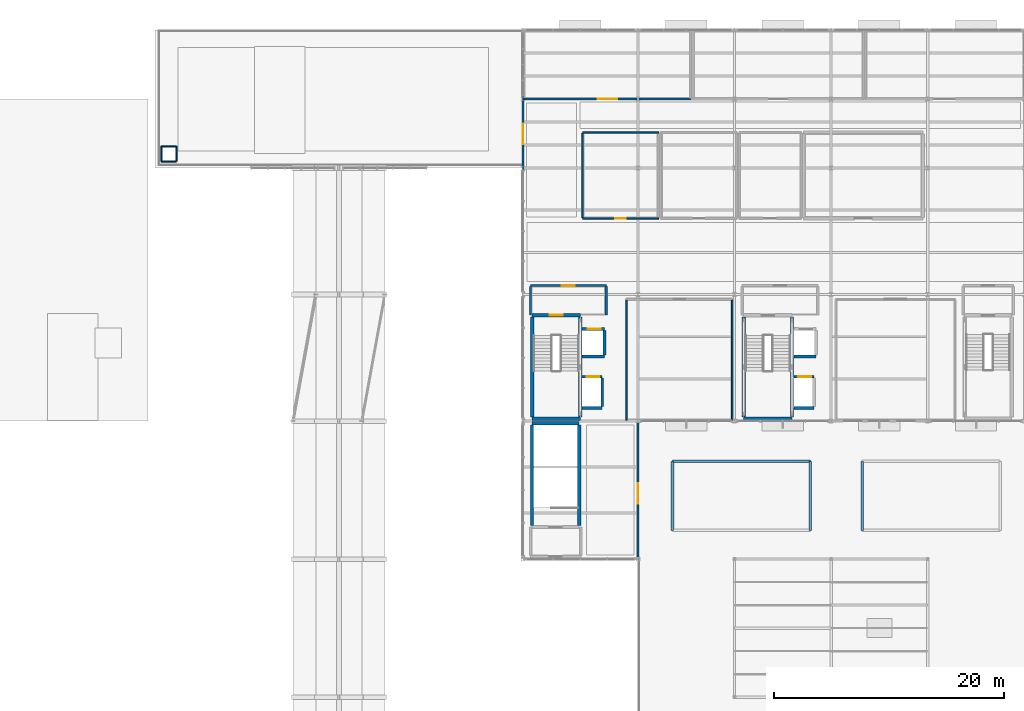
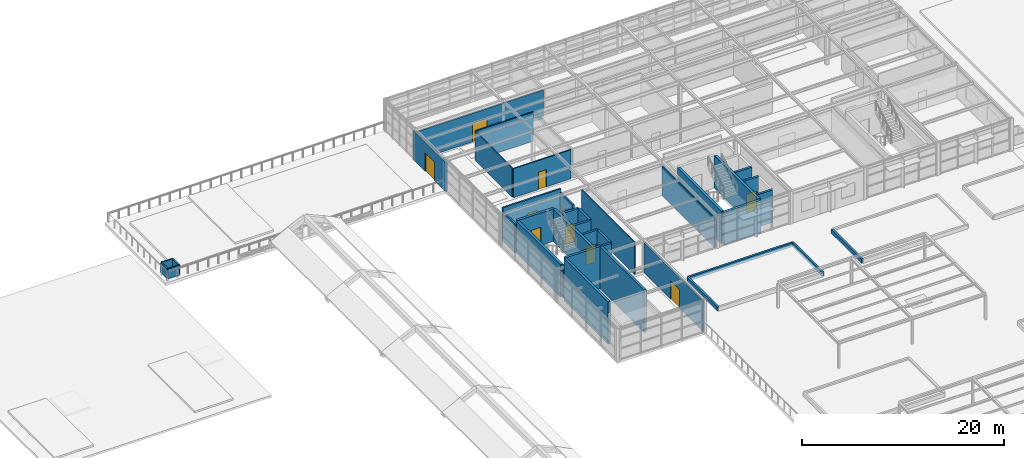
# One storey, part 41 of 49: 38 walls, 9 doors, 9 openings.
"""IFC4 building model written with IfcOpenShell, lengths in metres."""

from ifc_helpers import new_model, si_unit, direction, frame, frame_2d, origin, place, context, subcontext, project, spatial, rectangle, extrude, material, layer, layer_set, type_object, element, fill, save


model = new_model("IFC4")

# Units and contexts
model_context = context("Model", 3, precision=1e-05, world=origin(), true_north=direction((0.0, 1.0)))
body_context = subcontext(model_context, "Body", "Model", "MODEL_VIEW")
ifc_project = project(units=[si_unit("LENGTHUNIT", "METRE"), si_unit("AREAUNIT", "SQUARE_METRE"), si_unit("VOLUMEUNIT", "CUBIC_METRE"), si_unit("PLANEANGLEUNIT", "RADIAN"), si_unit("MASSUNIT", "GRAM", prefix="KILO")], contexts=[model_context])

# Site, building, storey
site_placement = place(None, origin())
site = spatial("IfcSite", under=ifc_project, at=site_placement, CompositionType="ELEMENT")
building_placement = place(site_placement, origin())
building = spatial("IfcBuilding", under=site, at=building_placement, Name="Sitalva Quay Ferry Terminal", CompositionType="ELEMENT")
storey_placement = place(building_placement, frame((0.0, 0.0, 10.199951171875)))
storey = spatial("IfcBuildingStorey", under=building, at=storey_placement, Name="L03", CompositionType="ELEMENT", Elevation=10.199951171875)

# Walls
ifc_material_1 = material(Name="Concrete C40/50", Category="concrete")
ifc_layer_1 = layer(ifc_material_1, 0.280029296875)
ifc_layer_set_1 = layer_set([ifc_layer_1], Name="Concrete C40/50")
wall_type_1 = type_object("IfcWallType", Name="Wall_CoreShear_280", PredefinedType="SHEAR", material=ifc_layer_set_1)
wall_1_placement = place(storey_placement, frame((74.800048828125, 77.800048828125, 0.0), z_axis=(0.0, 0.0, 1.0), x_axis=(1.0, 0.0, 0.0)))
element("IfcWall", 1, at=wall_1_placement, inside=storey, type_object=wall_type_1, Name="Core C11 L03 north shear wall", PredefinedType="SHEAR", context=body_context, shape_type="SweptSolid", body=[
    extrude(rectangle(XDim=4.099853515625, YDim=0.280029296875, at=frame_2d((2.0498046875, 0.0))), origin(), (0.0, 0.0, 1.0), 5.10009765625),
])
for number, where, z_axis, x_axis, name in (
    (2, (74.800048828125, 68.93994140625, 0.0), (0.0, 0.0, 1.0), (0.0, 1.0, 0.0), "Core C11 L03 west shear wall"),
    (3, (78.89990234375, 68.93994140625, 0.0), (0.0, 0.0, 1.0), (0.0, 1.0, 0.0), "Core C11 L03 east shear wall"),
):
    element("IfcWall", number, at=place(storey_placement, frame(where, z_axis=z_axis, x_axis=x_axis)), inside=storey, type_object=wall_type_1, Name=name, PredefinedType="SHEAR", context=body_context, shape_type="SweptSolid", body=[
        extrude(rectangle(XDim=8.719970703125, YDim=0.280029296875, at=frame_2d((4.35986328125, 0.0))), origin(), (0.0, 0.0, 1.0), 5.10009765625),
    ])
ifc_material_2 = material(Name="Concrete C40/50", Category="concrete")
ifc_layer_2 = layer(ifc_material_2, 0.300048828125)
ifc_layer_set_2 = layer_set([ifc_layer_2], Name="Concrete C40/50")
wall_type_2 = type_object("IfcWallType", Name="Wall_CoreShear_300", PredefinedType="SHEAR", material=ifc_layer_set_2)
wall_2_placement = place(storey_placement, frame((74.800048828125, 78.199951171875, 0.0), z_axis=(0.0, 0.0, 1.0), x_axis=(1.0, 0.0, 0.0)))
element("IfcWall", 4, at=wall_2_placement, inside=storey, type_object=wall_type_2, Name="Core C1 L03 south shear wall", PredefinedType="SHEAR", context=body_context, shape_type="SweptSolid", body=[
    extrude(rectangle(XDim=4.199951171875, YDim=0.300048828125, at=frame_2d((2.10009765625, 0.0))), origin(), (0.0, 0.0, 1.0), 3.920166015625),
])

# Wall, opening, door
wall_3_placement = place(storey_placement, frame((74.800048828125, 87.199951171875, 0.0), z_axis=(0.0, 0.0, 1.0), x_axis=(1.0, 0.0, 0.0)))
wall_3 = element("IfcWall", 5, at=wall_3_placement, inside=storey, type_object=wall_type_2, Name="Core C1 L03 north shear wall", PredefinedType="SHEAR", context=body_context, shape_type="SweptSolid", body=[
    extrude(rectangle(XDim=4.199951171875, YDim=0.300048828125, at=frame_2d((2.10009765625, 0.0))), origin(), (0.0, 0.0, 1.0), 3.920166015625),
])
opening_1_placement = place(wall_3_placement, frame((1.550048828125, 0.0, 0.0)))
opening_1 = element("IfcOpeningElement", 6, at=opening_1_placement, cuts=wall_3, Name="Opening D-L03-003", PredefinedType="OPENING", context=body_context, shape_type="SweptSolid", body=[
    extrude(rectangle(XDim=1.10009765625, YDim=2.199951171875, at=frame_2d((0.550048828125, 1.10009765625))), frame((0.0, 0.159912109375, 0.0), z_axis=(0.0, -1.0, 0.0), x_axis=(1.0, 0.0, 0.0)), (0.0, 0.0, 1.0), 0.320068359375),
])
ifc_material_3 = material(Name="Galvanised Steel Fire Door", Category="steel")
door_type_1 = type_object("IfcDoorType", Name="Door_CoreExit_1100x2200", OperationType="SINGLE_SWING_LEFT", PredefinedType="DOOR", material=ifc_material_3)
door_1_placement = place(opening_1_placement, origin())
door_1 = element("IfcDoor", 7, at=door_1_placement, inside=storey, type_object=door_type_1, Name="DOOR-D-L03-003 Protected stair ST-01 door D-L03-003", OperationType="SINGLE_SWING_LEFT", OverallHeight=2.199951171875, OverallWidth=1.10009765625, PredefinedType="DOOR", context=body_context, shape_type="SweptSolid", body=[
    extrude(rectangle(XDim=1.10009765625, YDim=2.199951171875, at=frame_2d((0.550048828125, 1.10009765625))), frame((0.0, 0.02490234375, 0.0), z_axis=(0.0, -1.0, 0.0), x_axis=(1.0, 0.0, 0.0)), (0.0, 0.0, 1.0), 0.050048828125),
])
fill(opening_1, door_1)

# Walls
for number, where, z_axis, x_axis, name in (
    (8, (74.800048828125, 78.35009765625, 0.0), (0.0, 0.0, 1.0), (0.0, 1.0, 0.0), "Core C1 L03 west shear wall"),
    (9, (79.0, 78.35009765625, 0.0), (0.0, 0.0, 1.0), (0.0, 1.0, 0.0), "Core C1 L03 east shear wall"),
):
    element("IfcWall", number, at=place(storey_placement, frame(where, z_axis=z_axis, x_axis=x_axis)), inside=storey, type_object=wall_type_2, Name=name, PredefinedType="SHEAR", context=body_context, shape_type="SweptSolid", body=[
        extrude(rectangle(XDim=8.699951171875, YDim=0.300048828125, at=frame_2d((4.35009765625, 0.0))), origin(), (0.0, 0.0, 1.0), 3.920166015625),
    ])
wall_4_placement = place(storey_placement, frame((93.199951171875, 78.199951171875, 0.0), z_axis=(0.0, 0.0, 1.0), x_axis=(1.0, 0.0, 0.0)))
element("IfcWall", 10, at=wall_4_placement, inside=storey, type_object=wall_type_2, Name="Core C2 L03 south shear wall", PredefinedType="SHEAR", context=body_context, shape_type="SweptSolid", body=[
    extrude(rectangle(XDim=4.199951171875, YDim=0.300048828125, at=frame_2d((2.10009765625, 0.0))), origin(), (0.0, 0.0, 1.0), 3.920166015625),
])
for number, where, z_axis, x_axis, name in (
    (11, (93.199951171875, 78.35009765625, 0.0), (0.0, 0.0, 1.0), (0.0, 1.0, 0.0), "Core C2 L03 west shear wall"),
    (12, (97.39990234375, 78.35009765625, 0.0), (0.0, 0.0, 1.0), (0.0, 1.0, 0.0), "Core C2 L03 east shear wall"),
):
    element("IfcWall", number, at=place(storey_placement, frame(where, z_axis=z_axis, x_axis=x_axis)), inside=storey, type_object=wall_type_2, Name=name, PredefinedType="SHEAR", context=body_context, shape_type="SweptSolid", body=[
        extrude(rectangle(XDim=8.699951171875, YDim=0.300048828125, at=frame_2d((4.35009765625, 0.0))), origin(), (0.0, 0.0, 1.0), 3.920166015625),
    ])

# Wall, opening, door
ifc_material_4 = material(Name="Architectural Concrete C40/50", Category="concrete")
ifc_layer_3 = layer(ifc_material_4, 0.18994140625)
ifc_layer_set_3 = layer_set([ifc_layer_3], Name="Architectural Concrete C40/50")
wall_type_3 = type_object("IfcWallType", Name="Wall_ExtSpandrel_190", PredefinedType="SOLIDWALL", material=ifc_layer_set_3)
wall_5_placement = place(storey_placement, frame((84.0, 66.135009765625, 0.0), z_axis=(0.0, 0.0, 1.0), x_axis=(0.0, 1.0, 0.0)))
wall_5 = element("IfcWall", 13, at=wall_5_placement, inside=storey, type_object=wall_type_3, Name="L03 north spine east roof-park wall EW-L03-124", PredefinedType="SOLIDWALL", context=body_context, shape_type="SweptSolid", body=[
    extrude(rectangle(XDim=11.724609375, YDim=0.18994140625, at=frame_2d((5.8623046875, 0.0))), origin(), (0.0, 0.0, 1.0), 3.655029296875),
])
opening_2_placement = place(wall_5_placement, frame((4.6650390625, 0.0, 0.0)))
opening_2 = element("IfcOpeningElement", 14, at=opening_2_placement, cuts=wall_5, Name="Opening ED-L03-019", PredefinedType="OPENING", context=body_context, shape_type="SweptSolid", body=[
    extrude(rectangle(XDim=1.800048828125, YDim=2.25, at=frame_2d((0.89990234375, 1.125))), frame((0.0, 0.10498046875, 0.0), z_axis=(0.0, -1.0, 0.0), x_axis=(1.0, 0.0, 0.0)), (0.0, 0.0, 1.0), 0.2099609375),
])
ifc_material_5 = material(Name="Anodised Aluminium & Low-E Glass", Category="aluminium")
door_type_2 = type_object("IfcDoorType", Name="Door_Terrace_1800x2250", OperationType="DOUBLE_DOOR_SINGLE_SWING", PredefinedType="DOOR", material=ifc_material_5)
door_2_placement = place(opening_2_placement, origin())
door_2 = element("IfcDoor", 15, at=door_2_placement, inside=storey, type_object=door_type_2, Name="EDOOR-ED-L03-019 L03 north spine to roof park door ED-L03-019", OperationType="DOUBLE_DOOR_SINGLE_SWING", OverallHeight=2.25, OverallWidth=1.800048828125, PredefinedType="DOOR", context=body_context, shape_type="SweptSolid", body=[
    extrude(rectangle(XDim=1.800048828125, YDim=2.25, at=frame_2d((0.89990234375, 1.125))), frame((0.0, 0.02490234375, 0.0), z_axis=(0.0, -1.0, 0.0), x_axis=(1.0, 0.0, 0.0)), (0.0, 0.0, 1.0), 0.050048828125),
])
fill(opening_2, door_2)

wall_6_placement = place(storey_placement, frame((74.0, 99.739990234375, 0.0), z_axis=(0.0, 0.0, 1.0), x_axis=(0.0, 1.0, 0.0)))
wall_6 = element("IfcWall", 16, at=wall_6_placement, inside=storey, type_object=wall_type_3, Name="L03 west roof-terrace access wall EW-L03-177", PredefinedType="SOLIDWALL", context=body_context, shape_type="SweptSolid", body=[
    extrude(rectangle(XDim=6.52001953125, YDim=0.18994140625, at=frame_2d((3.260009765625, 0.0))), origin(), (0.0, 0.0, 1.0), 3.508056640625),
])
opening_3_placement = place(wall_6_placement, frame((2.320068359375, 0.0, 0.0)))
opening_3 = element("IfcOpeningElement", 17, at=opening_3_placement, cuts=wall_6, Name="Opening ED-L03-039", PredefinedType="OPENING", context=body_context, shape_type="SweptSolid", body=[
    extrude(rectangle(XDim=1.800048828125, YDim=2.25, at=frame_2d((0.89990234375, 1.125))), frame((0.0, 0.10498046875, 0.0), z_axis=(0.0, -1.0, 0.0), x_axis=(1.0, 0.0, 0.0)), (0.0, 0.0, 1.0), 0.2099609375),
])
door_3_placement = place(opening_3_placement, origin())
door_3 = element("IfcDoor", 18, at=door_3_placement, inside=storey, type_object=door_type_2, Name="EDOOR-ED-L03-039 L03 west planted roof terrace door ED-L03-039", OperationType="DOUBLE_DOOR_SINGLE_SWING", OverallHeight=2.25, OverallWidth=1.800048828125, PredefinedType="DOOR", context=body_context, shape_type="SweptSolid", body=[
    extrude(rectangle(XDim=1.800048828125, YDim=2.25, at=frame_2d((0.89990234375, 1.125))), frame((0.0, 0.02490234375, 0.0), z_axis=(0.0, -1.0, 0.0), x_axis=(1.0, 0.0, 0.0)), (0.0, 0.0, 1.0), 0.050048828125),
])
fill(opening_3, door_3)

ifc_material_6 = material(Name="Fire-Rated Blockwork C25/30", Category="masonry")
ifc_layer_4 = layer(ifc_material_6, 0.179931640625)
ifc_layer_set_4 = layer_set([ifc_layer_4], Name="Fire-Rated Blockwork C25/30")
wall_type_4 = type_object("IfcWallType", Name="Wall_FireLobby_180", PredefinedType="SOLIDWALL", material=ifc_layer_set_4)
wall_7_placement = place(storey_placement, frame((74.64990234375, 89.800048828125, 0.0), z_axis=(0.0, 0.0, 1.0), x_axis=(1.0, 0.0, 0.0)))
wall_7 = element("IfcWall", 19, at=wall_7_placement, inside=storey, type_object=wall_type_4, Name="Firefighting & Lift Lobby C1 N wall IW-L03-0007", PredefinedType="SOLIDWALL", context=body_context, shape_type="SweptSolid", body=[
    extrude(rectangle(XDim=6.60009765625, YDim=0.179931640625, at=frame_2d((3.300048828125, 0.0))), origin(), (0.0, 0.0, 1.0), 3.900146484375),
])
opening_4_placement = place(wall_7_placement, frame((2.75, 0.0, 0.0)))
opening_4 = element("IfcOpeningElement", 20, at=opening_4_placement, cuts=wall_7, Name="Opening ID-L03-003", PredefinedType="OPENING", context=body_context, shape_type="SweptSolid", body=[
    extrude(rectangle(XDim=1.10009765625, YDim=2.199951171875, at=frame_2d((0.550048828125, 1.10009765625))), frame((0.0, 0.099853515625, 0.0), z_axis=(0.0, -1.0, 0.0), x_axis=(1.0, 0.0, 0.0)), (0.0, 0.0, 1.0), 0.199951171875),
])
ifc_material_7 = material(Name="Steel Fire Door", Category="steel")
door_type_3 = type_object("IfcDoorType", Name="Door_FireLobby_1100x2200", OperationType="SINGLE_SWING_LEFT", PredefinedType="DOOR", material=ifc_material_7)
door_4_placement = place(opening_4_placement, origin())
door_4 = element("IfcDoor", 21, at=door_4_placement, inside=storey, type_object=door_type_3, Name="IDOOR-ID-L03-003 Firefighting & Lift Lobby C1 entrance ID-L03-003", OperationType="SINGLE_SWING_LEFT", OverallHeight=2.199951171875, OverallWidth=1.10009765625, PredefinedType="DOOR", context=body_context, shape_type="SweptSolid", body=[
    extrude(rectangle(XDim=1.10009765625, YDim=2.199951171875, at=frame_2d((0.550048828125, 1.10009765625))), frame((0.0, 0.02490234375, 0.0), z_axis=(0.0, -1.0, 0.0), x_axis=(1.0, 0.0, 0.0)), (0.0, 0.0, 1.0), 0.050048828125),
])
fill(opening_4, door_4)

# Walls
for number, where, z_axis, x_axis, name in (
    (22, (74.64990234375, 87.199951171875, 0.0), (0.0, 0.0, 1.0), (0.0, 1.0, 0.0), "Firefighting & Lift Lobby C1 W wall IW-L03-0008"),
    (23, (81.25, 87.199951171875, 0.0), (0.0, 0.0, 1.0), (0.0, 1.0, 0.0), "Firefighting & Lift Lobby C1 E wall IW-L03-0009"),
):
    element("IfcWall", number, at=place(storey_placement, frame(where, z_axis=z_axis, x_axis=x_axis)), inside=storey, type_object=wall_type_4, Name=name, PredefinedType="SOLIDWALL", context=body_context, shape_type="SweptSolid", body=[
        extrude(rectangle(XDim=2.510009765625, YDim=0.179931640625, at=frame_2d((1.2548828125, 0.0))), origin(), (0.0, 0.0, 1.0), 3.5029296875),
    ])
ifc_material_8 = material(Name="Concrete C35/45", Category="concrete")
ifc_layer_5 = layer(ifc_material_8, 0.25)
ifc_layer_set_5 = layer_set([ifc_layer_5], Name="Concrete C35/45")
wall_type_5 = type_object("IfcWallType", Name="Wall_LiftShaft_250", PredefinedType="SOLIDWALL", material=ifc_layer_set_5)
wall_8_placement = place(storey_placement, frame((79.155029296875, 79.14990234375, 0.0), z_axis=(0.0, 0.0, 1.0), x_axis=(1.0, 0.0, 0.0)))
element("IfcWall", 24, at=wall_8_placement, inside=storey, type_object=wall_type_5, Name="Lift LF-01 L03 south shaft wall", PredefinedType="SOLIDWALL", context=body_context, shape_type="SweptSolid", body=[
    extrude(rectangle(XDim=1.744873046875, YDim=0.25, at=frame_2d((0.87255859375, 0.0))), origin(), (0.0, 0.0, 1.0), 3.920166015625),
])

# Wall, opening, door
wall_9_placement = place(storey_placement, frame((79.155029296875, 81.85009765625, 0.0), z_axis=(0.0, 0.0, 1.0), x_axis=(1.0, 0.0, 0.0)))
wall_9 = element("IfcWall", 25, at=wall_9_placement, inside=storey, type_object=wall_type_5, Name="Lift LF-01 L03 north shaft wall", PredefinedType="SOLIDWALL", context=body_context, shape_type="SweptSolid", body=[
    extrude(rectangle(XDim=1.744873046875, YDim=0.25, at=frame_2d((0.87255859375, 0.0))), origin(), (0.0, 0.0, 1.0), 3.920166015625),
])
opening_5_placement = place(wall_9_placement, frame((0.39990234375, 0.0, 0.0)))
opening_5 = element("IfcOpeningElement", 26, at=opening_5_placement, cuts=wall_9, Name="Opening LD-LF-01-L03", PredefinedType="OPENING", context=body_context, shape_type="SweptSolid", body=[
    extrude(rectangle(XDim=1.10009765625, YDim=2.199951171875, at=frame_2d((0.550048828125, 1.10009765625))), frame((0.0, 0.135009765625, 0.0), z_axis=(0.0, -1.0, 0.0), x_axis=(1.0, 0.0, 0.0)), (0.0, 0.0, 1.0), 0.27001953125),
])
ifc_material_9 = material(Name="Stainless Steel 316L Fire Landing Door", Category="steel")
door_type_4 = type_object("IfcDoorType", Name="Door_LiftLanding_1100x2200", OperationType="SLIDING_TO_LEFT", PredefinedType="DOOR", material=ifc_material_9)
door_5_placement = place(opening_5_placement, origin())
door_5 = element("IfcDoor", 27, at=door_5_placement, inside=storey, type_object=door_type_4, Name="DOOR-LD-LF-01-L03 Lift LF-01 sliding landing door LD-LF-01-L03", OperationType="SLIDING_TO_LEFT", OverallHeight=2.199951171875, OverallWidth=1.10009765625, PredefinedType="DOOR", context=body_context, shape_type="SweptSolid", body=[
    extrude(rectangle(XDim=1.10009765625, YDim=2.199951171875, at=frame_2d((0.550048828125, 1.10009765625))), frame((0.0, 0.02490234375, 0.0), z_axis=(0.0, -1.0, 0.0), x_axis=(1.0, 0.0, 0.0)), (0.0, 0.0, 1.0), 0.050048828125),
])
fill(opening_5, door_5)

# Walls
wall_10_placement = place(storey_placement, frame((80.89990234375, 79.27490234375, 0.0), z_axis=(0.0, 0.0, 1.0), x_axis=(0.0, 1.0, 0.0)))
element("IfcWall", 28, at=wall_10_placement, inside=storey, type_object=wall_type_5, Name="Lift LF-01 L03 east shaft wall", PredefinedType="SOLIDWALL", context=body_context, shape_type="SweptSolid", body=[
    extrude(rectangle(XDim=2.4501953125, YDim=0.25, at=frame_2d((1.22509765625, 0.0))), origin(), (0.0, 0.0, 1.0), 3.920166015625),
])
wall_11_placement = place(storey_placement, frame((79.155029296875, 83.60009765625, 0.0), z_axis=(0.0, 0.0, 1.0), x_axis=(1.0, 0.0, 0.0)))
element("IfcWall", 29, at=wall_11_placement, inside=storey, type_object=wall_type_5, Name="Lift LF-03 L03 south shaft wall", PredefinedType="SOLIDWALL", context=body_context, shape_type="SweptSolid", body=[
    extrude(rectangle(XDim=1.945068359375, YDim=0.25, at=frame_2d((0.97265625, 0.0))), origin(), (0.0, 0.0, 1.0), 3.920166015625),
])

# Wall, opening, door
wall_12_placement = place(storey_placement, frame((79.155029296875, 86.0, 0.0), z_axis=(0.0, 0.0, 1.0), x_axis=(1.0, 0.0, 0.0)))
wall_12 = element("IfcWall", 30, at=wall_12_placement, inside=storey, type_object=wall_type_5, Name="Lift LF-03 L03 north shaft wall", PredefinedType="SOLIDWALL", context=body_context, shape_type="SweptSolid", body=[
    extrude(rectangle(XDim=1.945068359375, YDim=0.25, at=frame_2d((0.97265625, 0.0))), origin(), (0.0, 0.0, 1.0), 3.920166015625),
])
opening_6_placement = place(wall_12_placement, frame((0.5, 0.0, 0.0)))
opening_6 = element("IfcOpeningElement", 31, at=opening_6_placement, cuts=wall_12, Name="Opening LD-LF-03-L03", PredefinedType="OPENING", context=body_context, shape_type="SweptSolid", body=[
    extrude(rectangle(XDim=1.10009765625, YDim=2.199951171875, at=frame_2d((0.550048828125, 1.10009765625))), frame((0.0, 0.135009765625, 0.0), z_axis=(0.0, -1.0, 0.0), x_axis=(1.0, 0.0, 0.0)), (0.0, 0.0, 1.0), 0.27001953125),
])
door_6_placement = place(opening_6_placement, origin())
door_6 = element("IfcDoor", 32, at=door_6_placement, inside=storey, type_object=door_type_4, Name="DOOR-LD-LF-03-L03 Lift LF-03 sliding landing door LD-LF-03-L03", OperationType="SLIDING_TO_LEFT", OverallHeight=2.199951171875, OverallWidth=1.10009765625, PredefinedType="DOOR", context=body_context, shape_type="SweptSolid", body=[
    extrude(rectangle(XDim=1.10009765625, YDim=2.199951171875, at=frame_2d((0.550048828125, 1.10009765625))), frame((0.0, 0.02490234375, 0.0), z_axis=(0.0, -1.0, 0.0), x_axis=(1.0, 0.0, 0.0)), (0.0, 0.0, 1.0), 0.050048828125),
])
fill(opening_6, door_6)

# Walls
wall_13_placement = place(storey_placement, frame((81.10009765625, 83.72509765625, 0.0), z_axis=(0.0, 0.0, 1.0), x_axis=(0.0, 1.0, 0.0)))
element("IfcWall", 33, at=wall_13_placement, inside=storey, type_object=wall_type_5, Name="Lift LF-03 L03 east shaft wall", PredefinedType="SOLIDWALL", context=body_context, shape_type="SweptSolid", body=[
    extrude(rectangle(XDim=2.14990234375, YDim=0.25, at=frame_2d((1.074951171875, 0.0))), origin(), (0.0, 0.0, 1.0), 3.920166015625),
])
wall_14_placement = place(storey_placement, frame((97.554931640625, 79.14990234375, 0.0), z_axis=(0.0, 0.0, 1.0), x_axis=(1.0, 0.0, 0.0)))
element("IfcWall", 34, at=wall_14_placement, inside=storey, type_object=wall_type_5, Name="Lift LF-02 L03 south shaft wall", PredefinedType="SOLIDWALL", context=body_context, shape_type="SweptSolid", body=[
    extrude(rectangle(XDim=1.7451171875, YDim=0.25, at=frame_2d((0.87255859375, 0.0))), origin(), (0.0, 0.0, 1.0), 3.920166015625),
])

# Wall, opening, door
wall_15_placement = place(storey_placement, frame((97.554931640625, 81.85009765625, 0.0), z_axis=(0.0, 0.0, 1.0), x_axis=(1.0, 0.0, 0.0)))
wall_15 = element("IfcWall", 35, at=wall_15_placement, inside=storey, type_object=wall_type_5, Name="Lift LF-02 L03 north shaft wall", PredefinedType="SOLIDWALL", context=body_context, shape_type="SweptSolid", body=[
    extrude(rectangle(XDim=1.7451171875, YDim=0.25, at=frame_2d((0.87255859375, 0.0))), origin(), (0.0, 0.0, 1.0), 3.920166015625),
])
opening_7_placement = place(wall_15_placement, frame((0.39990234375, 0.0, 0.0)))
opening_7 = element("IfcOpeningElement", 36, at=opening_7_placement, cuts=wall_15, Name="Opening LD-LF-02-L03", PredefinedType="OPENING", context=body_context, shape_type="SweptSolid", body=[
    extrude(rectangle(XDim=1.10009765625, YDim=2.199951171875, at=frame_2d((0.550048828125, 1.10009765625))), frame((0.0, 0.135009765625, 0.0), z_axis=(0.0, -1.0, 0.0), x_axis=(1.0, 0.0, 0.0)), (0.0, 0.0, 1.0), 0.27001953125),
])
door_7_placement = place(opening_7_placement, origin())
door_7 = element("IfcDoor", 37, at=door_7_placement, inside=storey, type_object=door_type_4, Name="DOOR-LD-LF-02-L03 Lift LF-02 sliding landing door LD-LF-02-L03", OperationType="SLIDING_TO_LEFT", OverallHeight=2.199951171875, OverallWidth=1.10009765625, PredefinedType="DOOR", context=body_context, shape_type="SweptSolid", body=[
    extrude(rectangle(XDim=1.10009765625, YDim=2.199951171875, at=frame_2d((0.550048828125, 1.10009765625))), frame((0.0, 0.02490234375, 0.0), z_axis=(0.0, -1.0, 0.0), x_axis=(1.0, 0.0, 0.0)), (0.0, 0.0, 1.0), 0.050048828125),
])
fill(opening_7, door_7)

# Walls
wall_16_placement = place(storey_placement, frame((97.554931640625, 83.60009765625, 0.0), z_axis=(0.0, 0.0, 1.0), x_axis=(1.0, 0.0, 0.0)))
element("IfcWall", 38, at=wall_16_placement, inside=storey, type_object=wall_type_5, Name="Lift LF-04 L03 south shaft wall", PredefinedType="SOLIDWALL", context=body_context, shape_type="SweptSolid", body=[
    extrude(rectangle(XDim=1.945068359375, YDim=0.25, at=frame_2d((0.97265625, 0.0))), origin(), (0.0, 0.0, 1.0), 3.920166015625),
])
ifc_material_10 = material(Name="Steel-Stud Gypsum Partition", Category="steel")
ifc_layer_6 = layer(ifc_material_10, 0.125)
ifc_layer_set_6 = layer_set([ifc_layer_6], Name="Steel-Stud Gypsum Partition")
wall_type_6 = type_object("IfcWallType", Name="Wall_Partition_125", PredefinedType="PARTITIONING", material=ifc_layer_set_6)
wall_17_placement = place(storey_placement, frame((83.0, 78.080078125, 0.0), z_axis=(0.0, 0.0, 1.0), x_axis=(0.0, 1.0, 0.0)))
element("IfcWall", 39, at=wall_17_placement, inside=storey, type_object=wall_type_6, Name="BIWTA Port Operations Open-Plan Office W wall IW-L03-0266", PredefinedType="PARTITIONING", context=body_context, shape_type="SweptSolid", body=[
    extrude(rectangle(XDim=10.45751953125, YDim=0.125, at=frame_2d((5.228759765625, 0.0))), origin(), (0.0, 0.0, 1.0), 3.900146484375),
])
wall_18_placement = place(storey_placement, frame((92.199951171875, 78.080078125, 0.0), z_axis=(0.0, 0.0, 1.0), x_axis=(0.0, 1.0, 0.0)))
element("IfcWall", 40, at=wall_18_placement, inside=storey, type_object=wall_type_6, Name="BIWTA Port Operations Open-Plan Office E wall IW-L03-0267", PredefinedType="PARTITIONING", context=body_context, shape_type="SweptSolid", body=[
    extrude(rectangle(XDim=10.45751953125, YDim=0.125, at=frame_2d((5.228759765625, 0.0))), origin(), (0.0, 0.0, 1.0), 3.510009765625),
])

# Wall, opening, door
ifc_material_11 = material(Name="High-Acoustic Twin-Stud Partition", Category="gypsum")
ifc_layer_7 = layer(ifc_material_11, 0.1650390625)
ifc_layer_set_7 = layer_set([ifc_layer_7], Name="High-Acoustic Twin-Stud Partition")
wall_type_7 = type_object("IfcWallType", Name="Wall_Partition_165", PredefinedType="PARTITIONING", material=ifc_layer_set_7)
wall_19_placement = place(storey_placement, frame((74.080078125, 106.0, 0.0), z_axis=(0.0, 0.0, 1.0), x_axis=(1.0, 0.0, 0.0)))
wall_19 = element("IfcWall", 41, at=wall_19_placement, inside=storey, type_object=wall_type_7, Name="Port Authority Boardroom S wall IW-L03-0278", PredefinedType="PARTITIONING", context=body_context, shape_type="SweptSolid", body=[
    extrude(rectangle(XDim=14.52001953125, YDim=0.1650390625, at=frame_2d((7.260009765625, 0.0))), origin(), (0.0, 0.0, 1.0), 3.43310546875),
])
opening_8_placement = place(wall_19_placement, frame((6.409912109375, 0.0, 0.0)))
opening_8 = element("IfcOpeningElement", 42, at=opening_8_placement, cuts=wall_19, Name="Opening ID-L03-098", PredefinedType="OPENING", context=body_context, shape_type="SweptSolid", body=[
    extrude(rectangle(XDim=1.699951171875, YDim=2.25, at=frame_2d((0.85009765625, 1.125))), frame((0.0, 0.092529296875, 0.0), z_axis=(0.0, -1.0, 0.0), x_axis=(1.0, 0.0, 0.0)), (0.0, 0.0, 1.0), 0.18505859375),
])
ifc_material_12 = material(Name="Acoustic Teak Double Door", Category="wood")
door_type_5 = type_object("IfcDoorType", Name="Door_Boardroom_1700x2250", OperationType="DOUBLE_DOOR_SINGLE_SWING", PredefinedType="DOOR", material=ifc_material_12)
door_8_placement = place(opening_8_placement, origin())
door_8 = element("IfcDoor", 43, at=door_8_placement, inside=storey, type_object=door_type_5, Name="IDOOR-ID-L03-098 Port Authority Boardroom entrance ID-L03-098", OperationType="DOUBLE_DOOR_SINGLE_SWING", OverallHeight=2.25, OverallWidth=1.699951171875, PredefinedType="DOOR", context=body_context, shape_type="SweptSolid", body=[
    extrude(rectangle(XDim=1.699951171875, YDim=2.25, at=frame_2d((0.85009765625, 1.125))), frame((0.0, 0.02490234375, 0.0), z_axis=(0.0, -1.0, 0.0), x_axis=(1.0, 0.0, 0.0)), (0.0, 0.0, 1.0), 0.050048828125),
])
fill(opening_8, door_8)

# Walls
ifc_material_13 = material(Name="Concrete C35/45", Category="concrete")
ifc_layer_8 = layer(ifc_material_13, 0.219970703125)
ifc_layer_set_8 = layer_set([ifc_layer_8], Name="Concrete C35/45")
wall_type_8 = type_object("IfcWallType", Name="Wall_PlanterKerb_220", PredefinedType="PARAPET", material=ifc_layer_set_8)
wall_20_placement = place(storey_placement, frame((87.0, 74.5, 0.0), z_axis=(0.0, 0.0, 1.0), x_axis=(1.0, 0.0, 0.0)))
element("IfcWall", 44, at=wall_20_placement, inside=storey, type_object=wall_type_8, Name="Roof park planted parterre 09 kerb N", PredefinedType="PARAPET", context=body_context, shape_type="SweptSolid", body=[
    extrude(rectangle(XDim=12.0, YDim=0.219970703125, at=frame_2d((6.0, 0.0))), origin(), (0.0, 0.0, 1.0), 0.47998046875),
])
for number, where, z_axis, x_axis, name in (
    (45, (87.0, 68.5, 0.0), (0.0, 0.0, 1.0), (0.0, 1.0, 0.0), "Roof park planted parterre 09 kerb W"),
    (46, (99.0, 68.5, 0.0), (0.0, 0.0, 1.0), (0.0, 1.0, 0.0), "Roof park planted parterre 09 kerb E"),
    (47, (103.5, 68.5, 0.0), (0.0, 0.0, 1.0), (0.0, 1.0, 0.0), "Roof park planted parterre 10 kerb W"),
):
    element("IfcWall", number, at=place(storey_placement, frame(where, z_axis=z_axis, x_axis=x_axis)), inside=storey, type_object=wall_type_8, Name=name, PredefinedType="PARAPET", context=body_context, shape_type="SweptSolid", body=[
        extrude(rectangle(XDim=6.0, YDim=0.219970703125, at=frame_2d((3.0, 0.0))), origin(), (0.0, 0.0, 1.0), 0.47998046875),
    ])
ifc_material_14 = material(Name="Concrete C35/45", Category="concrete")
ifc_layer_9 = layer(ifc_material_14, 0.14990234375)
ifc_layer_set_9 = layer_set([ifc_layer_9], Name="Concrete C35/45")
wall_type_9 = type_object("IfcWallType", Name="Wall_RiserShaft_150", PredefinedType="PLUMBINGWALL", material=ifc_layer_set_9)
for number, where, z_axis, x_axis, name in (
    (48, (42.574951171875, 100.574951171875, 0.0), (0.0, 0.0, 1.0), (1.0, 0.0, 0.0), "L03 service riser 009 wall S"),
    (49, (42.574951171875, 101.875, 0.0), (0.0, 0.0, 1.0), (1.0, 0.0, 0.0), "L03 service riser 009 wall N"),
    (50, (42.574951171875, 100.574951171875, 0.0), (0.0, 0.0, 1.0), (0.0, 1.0, 0.0), "L03 service riser 009 wall W"),
    (51, (43.875, 100.574951171875, 0.0), (0.0, 0.0, 1.0), (0.0, 1.0, 0.0), "L03 service riser 009 wall E"),
):
    element("IfcWall", number, at=place(storey_placement, frame(where, z_axis=z_axis, x_axis=x_axis)), inside=storey, type_object=wall_type_9, Name=name, PredefinedType="PLUMBINGWALL", context=body_context, shape_type="SweptSolid", body=[
        extrude(rectangle(XDim=1.300048828125, YDim=0.14990234375, at=frame_2d((0.64990234375, 0.0))), origin(), (0.0, 0.0, 1.0), 1.199951171875),
    ])

# Wall, opening, door
ifc_material_15 = material(Name="Moisture-Resistant Cement Board Partition", Category="gypsum")
ifc_layer_10 = layer(ifc_material_15, 0.139892578125)
ifc_layer_set_10 = layer_set([ifc_layer_10], Name="Moisture-Resistant Cement Board Partition")
wall_type_10 = type_object("IfcWallType", Name="Wall_WetRoom_140", PredefinedType="PARTITIONING", material=ifc_layer_set_10)
wall_21_placement = place(storey_placement, frame((79.199951171875, 95.60009765625, 0.0), z_axis=(0.0, 0.0, 1.0), x_axis=(1.0, 0.0, 0.0)))
wall_21 = element("IfcWall", 52, at=wall_21_placement, inside=storey, type_object=wall_type_10, Name="L03 Male Staff Toilets S wall IW-L03-0285", PredefinedType="PARTITIONING", context=body_context, shape_type="SweptSolid", body=[
    extrude(rectangle(XDim=6.60009765625, YDim=0.139892578125, at=frame_2d((3.300048828125, 0.0))), origin(), (0.0, 0.0, 1.0), 3.510009765625),
])
opening_9_placement = place(wall_21_placement, frame((2.85009765625, 0.0, 0.0)))
opening_9 = element("IfcOpeningElement", 53, at=opening_9_placement, cuts=wall_21, Name="Opening ID-L03-101", PredefinedType="OPENING", context=body_context, shape_type="SweptSolid", body=[
    extrude(rectangle(XDim=0.89990234375, YDim=2.10009765625, at=frame_2d((0.449951171875, 1.050048828125))), frame((0.0, 0.079833984375, 0.0), z_axis=(0.0, -1.0, 0.0), x_axis=(1.0, 0.0, 0.0)), (0.0, 0.0, 1.0), 0.159912109375),
])
ifc_material_16 = material(Name="High-Pressure Laminate Door", Category="wood")
door_type_6 = type_object("IfcDoorType", Name="Door_WC_900x2100", OperationType="SINGLE_SWING_LEFT", PredefinedType="DOOR", material=ifc_material_16)
door_9_placement = place(opening_9_placement, origin())
door_9 = element("IfcDoor", 54, at=door_9_placement, inside=storey, type_object=door_type_6, Name="IDOOR-ID-L03-101 L03 Male Staff Toilets entrance ID-L03-101", OperationType="SINGLE_SWING_LEFT", OverallHeight=2.10009765625, OverallWidth=0.89990234375, PredefinedType="DOOR", context=body_context, shape_type="SweptSolid", body=[
    extrude(rectangle(XDim=0.89990234375, YDim=2.10009765625, at=frame_2d((0.449951171875, 1.050048828125))), frame((0.0, 0.02490234375, 0.0), z_axis=(0.0, -1.0, 0.0), x_axis=(1.0, 0.0, 0.0)), (0.0, 0.0, 1.0), 0.050048828125),
])
fill(opening_9, door_9)

# Walls
wall_22_placement = place(storey_placement, frame((79.199951171875, 103.10009765625, 0.0), z_axis=(0.0, 0.0, 1.0), x_axis=(1.0, 0.0, 0.0)))
element("IfcWall", 55, at=wall_22_placement, inside=storey, type_object=wall_type_10, Name="L03 Male Staff Toilets N wall IW-L03-0286", PredefinedType="PARTITIONING", context=body_context, shape_type="SweptSolid", body=[
    extrude(rectangle(XDim=6.60009765625, YDim=0.139892578125, at=frame_2d((3.300048828125, 0.0))), origin(), (0.0, 0.0, 1.0), 3.510009765625),
])
wall_23_placement = place(storey_placement, frame((79.199951171875, 95.669921875, 0.0), z_axis=(0.0, 0.0, 1.0), x_axis=(0.0, 1.0, 0.0)))
element("IfcWall", 56, at=wall_23_placement, inside=storey, type_object=wall_type_10, Name="L03 Male Staff Toilets W wall IW-L03-0287", PredefinedType="PARTITIONING", context=body_context, shape_type="SweptSolid", body=[
    extrude(rectangle(XDim=7.360107421875, YDim=0.139892578125, at=frame_2d((3.68017578125, 0.0))), origin(), (0.0, 0.0, 1.0), 3.5029296875),
])

save(model, "model.ifc")
